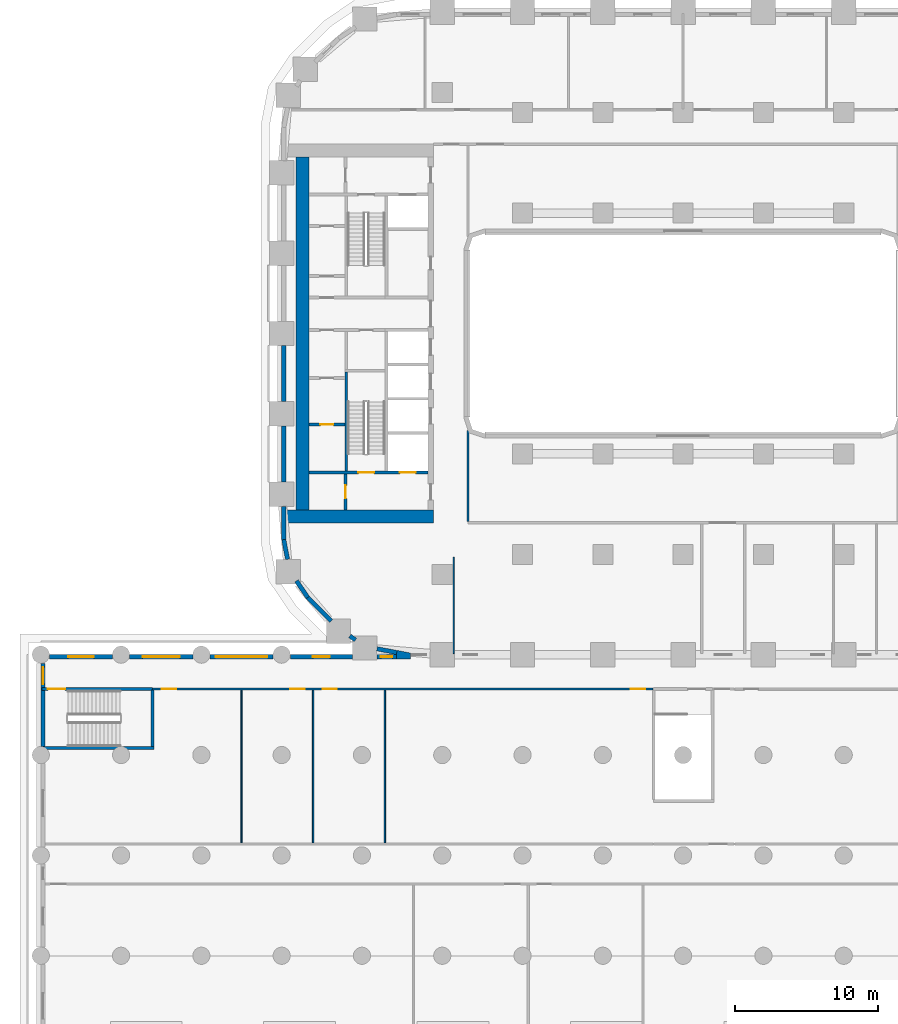
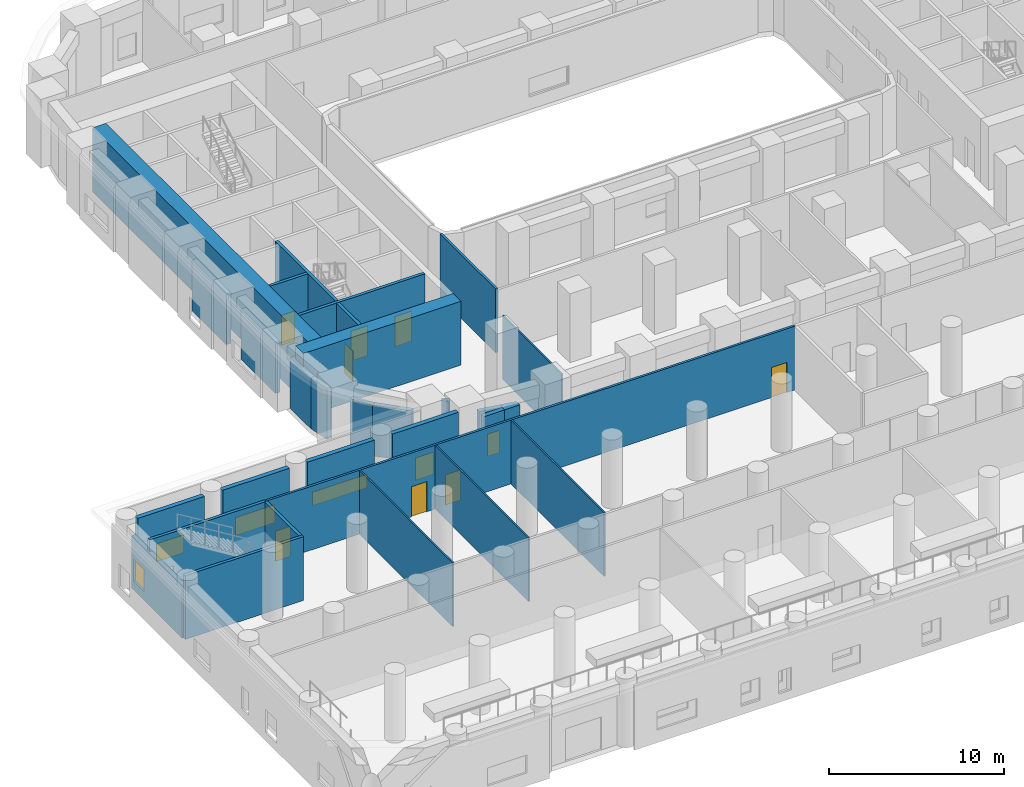
# One storey, part 9 of 24: 30 walls, 9 doors, 6 windows, 15 openings.
"""IFC4 building model written with IfcOpenShell, lengths in metres."""

from ifc_helpers import new_model, si_unit, direction, frame, frame_2d, origin, place, context, subcontext, project, spatial, polyline, rectangle, outline, extrude, material, layer, layer_set, type_object, element, fill, save


model = new_model("IFC4")

# Units and contexts
model_context = context("Model", 3, precision=1e-05, world=origin(), true_north=direction((0.0, 1.0)))
body_context = subcontext(model_context, "Body", "Model", "MODEL_VIEW")
ifc_project = project(units=[si_unit("LENGTHUNIT", "METRE"), si_unit("AREAUNIT", "SQUARE_METRE"), si_unit("VOLUMEUNIT", "CUBIC_METRE"), si_unit("PLANEANGLEUNIT", "RADIAN"), si_unit("MASSUNIT", "GRAM", prefix="KILO")], contexts=[model_context])

# Site, building, storey
site_placement = place(None, origin())
site = spatial("IfcSite", under=ifc_project, at=site_placement, CompositionType="ELEMENT")
building_placement = place(site_placement, origin())
building = spatial("IfcBuilding", under=site, at=building_placement, Name="Kiln Ring Residences", CompositionType="ELEMENT")
storey_placement = place(building_placement, frame((0.0, 0.0, 11.300048828125)))
storey = spatial("IfcBuildingStorey", under=building, at=storey_placement, Name="L02", CompositionType="ELEMENT", Elevation=11.300048828125)

# Wall, opening, door
ifc_material_1 = material(Name="Gypsum board on steel studs", Category="steel")
ifc_layer_1 = layer(ifc_material_1, 0.199951171875)
ifc_layer_set_1 = layer_set([ifc_layer_1], Name="CORE-PARTITION-200")
wall_type_1 = type_object("IfcWallType", Name="CORE-PARTITION-200", PredefinedType="PARTITIONING", material=ifc_layer_set_1)
wall_1_placement = place(storey_placement, frame((-23.550048828125, -12.300048828125, 0.0), z_axis=(0.0, 0.0, 1.0), x_axis=(0.0, 1.0, 0.0)))
wall_1 = element("IfcWall", 1, at=wall_1_placement, inside=storey, type_object=wall_type_1, Name="Core partition west L02 4", PredefinedType="PARTITIONING", context=body_context, shape_type="SweptSolid", body=[
    extrude(rectangle(XDim=2.5, YDim=0.199951171875, at=frame_2d((1.25, 0.0))), origin(), (0.0, 0.0, 1.0), 4.449951171875),
])
opening_1_placement = place(wall_1_placement, frame((0.800048828125, 0.0, 0.0)))
opening_1 = element("IfcOpeningElement", 2, at=opening_1_placement, cuts=wall_1, Name="Opening L02-CW10", PredefinedType="OPENING", context=body_context, shape_type="SweptSolid", body=[
    extrude(rectangle(XDim=0.89990234375, YDim=2.10009765625, at=frame_2d((0.449951171875, 1.050048828125))), frame((0.0, 0.10986328125, 0.0), z_axis=(0.0, -1.0, 0.0), x_axis=(1.0, 0.0, 0.0)), (0.0, 0.0, 1.0), 0.219970703125),
])
ifc_material_2 = material(Name="Steel door leaf", Category="steel")
door_type_1 = type_object("IfcDoorType", Name="CORE-DOOR-ROOM", OperationType="SINGLE_SWING_LEFT", PredefinedType="DOOR", material=ifc_material_2)
door_1_placement = place(opening_1_placement, origin())
door_1 = element("IfcDoor", 3, at=door_1_placement, inside=storey, type_object=door_type_1, Name="Store L02-CW10", OperationType="SINGLE_SWING_RIGHT", OverallHeight=2.10009765625, OverallWidth=0.89990234375, PredefinedType="DOOR", context=body_context, shape_type="SweptSolid", body=[
    extrude(rectangle(XDim=0.89990234375, YDim=2.10009765625, at=frame_2d((0.449951171875, 1.050048828125))), frame((0.0, 0.02490234375, 0.0), z_axis=(0.0, -1.0, 0.0), x_axis=(1.0, 0.0, 0.0)), (0.0, 0.0, 1.0), 0.050048828125),
])
fill(opening_1, door_1)

wall_2_placement = place(storey_placement, frame((-23.60009765625, -6.35009765625, 0.0), z_axis=(0.0, 0.0, 1.0), x_axis=(-1.0, 0.0, 0.0)))
wall_2 = element("IfcWall", 4, at=wall_2_placement, inside=storey, type_object=wall_type_1, Name="Core partition west L02 5", PredefinedType="PARTITIONING", context=body_context, shape_type="SweptSolid", body=[
    extrude(rectangle(XDim=2.5, YDim=0.199951171875, at=frame_2d((1.25, 0.0))), origin(), (0.0, 0.0, 1.0), 4.449951171875),
])
opening_2_placement = place(wall_2_placement, frame((0.800048828125, 0.0, 0.0)))
opening_2 = element("IfcOpeningElement", 5, at=opening_2_placement, cuts=wall_2, Name="Opening L02-CW15", PredefinedType="OPENING", context=body_context, shape_type="SweptSolid", body=[
    extrude(rectangle(XDim=0.89990234375, YDim=2.10009765625, at=frame_2d((0.449951171875, 1.050048828125))), frame((0.0, 0.10986328125, 0.0), z_axis=(0.0, -1.0, 0.0), x_axis=(1.0, 0.0, 0.0)), (0.0, 0.0, 1.0), 0.219970703125),
])
door_2_placement = place(opening_2_placement, origin())
door_2 = element("IfcDoor", 6, at=door_2_placement, inside=storey, type_object=door_type_1, Name="Meter room L02-CW15", OperationType="SINGLE_SWING_RIGHT", OverallHeight=2.10009765625, OverallWidth=0.89990234375, PredefinedType="DOOR", context=body_context, shape_type="SweptSolid", body=[
    extrude(rectangle(XDim=0.89990234375, YDim=2.10009765625, at=frame_2d((0.449951171875, 1.050048828125))), frame((0.0, 0.02490234375, 0.0), z_axis=(0.0, -1.0, 0.0), x_axis=(1.0, 0.0, 0.0)), (0.0, 0.0, 1.0), 0.050048828125),
])
fill(opening_2, door_2)

# Wall, openings, doors
ifc_material_3 = material(Name="Concrete C40/50", Category="concrete")
ifc_layer_2 = layer(ifc_material_3, 0.199951171875)
ifc_layer_set_2 = layer_set([ifc_layer_2], Name="CORE-WALL-RC200")
wall_type_2 = type_object("IfcWallType", Name="CORE-WALL-RC200", PredefinedType="SHEAR", material=ifc_layer_set_2)
wall_3_placement = place(storey_placement, frame((-17.800048828125, -9.699951171875, 0.0), z_axis=(0.0, 0.0, 1.0), x_axis=(-1.0, 0.0, 0.0)))
wall_3 = element("IfcWall", 7, at=wall_3_placement, inside=storey, type_object=wall_type_2, Name="Core wall west L02 8", PredefinedType="SHEAR", context=body_context, shape_type="SweptSolid", body=[
    extrude(rectangle(XDim=8.300048828125, YDim=0.199951171875, at=frame_2d((4.14990234375, 0.0))), origin(), (0.0, 0.0, 1.0), 4.449951171875),
])
opening_3_placement = place(wall_3_placement, frame((0.85009765625, 0.0, 0.0)))
opening_3 = element("IfcOpeningElement", 8, at=opening_3_placement, cuts=wall_3, Name="Opening L02-CW01", PredefinedType="OPENING", context=body_context, shape_type="SweptSolid", body=[
    extrude(rectangle(XDim=1.10009765625, YDim=2.10009765625, at=frame_2d((0.550048828125, 1.050048828125))), frame((0.0, 0.10986328125, 0.0), z_axis=(0.0, -1.0, 0.0), x_axis=(1.0, 0.0, 0.0)), (0.0, 0.0, 1.0), 0.219970703125),
])
opening_4_placement = place(wall_3_placement, frame((3.75, 0.0, 0.0)))
opening_4 = element("IfcOpeningElement", 9, at=opening_4_placement, cuts=wall_3, Name="Opening L02-CW12", PredefinedType="OPENING", context=body_context, shape_type="SweptSolid", body=[
    extrude(rectangle(XDim=1.10009765625, YDim=2.10009765625, at=frame_2d((0.550048828125, 1.050048828125))), frame((0.0, 0.10986328125, 0.0), z_axis=(0.0, -1.0, 0.0), x_axis=(1.0, 0.0, 0.0)), (0.0, 0.0, 1.0), 0.219970703125),
])
ifc_material_4 = material(Name="Steel door leaf", Category="steel")
door_type_2 = type_object("IfcDoorType", Name="CORE-DOOR-LD", OperationType="DOUBLE_DOOR_SLIDING", PredefinedType="DOOR", material=ifc_material_4)
door_3_placement = place(opening_3_placement, origin())
door_3 = element("IfcDoor", 10, at=door_3_placement, inside=storey, type_object=door_type_2, Name="LD W-SV L02-CW01", OperationType="DOUBLE_DOOR_SLIDING", OverallHeight=2.10009765625, OverallWidth=1.10009765625, PredefinedType="DOOR", context=body_context, shape_type="SweptSolid", body=[
    extrude(rectangle(XDim=1.10009765625, YDim=2.10009765625, at=frame_2d((0.550048828125, 1.050048828125))), frame((0.0, 0.02490234375, 0.0), z_axis=(0.0, -1.0, 0.0), x_axis=(1.0, 0.0, 0.0)), (0.0, 0.0, 1.0), 0.050048828125),
])
fill(opening_3, door_3)
ifc_material_5 = material(Name="Steel door leaf", Category="steel")
door_type_3 = type_object("IfcDoorType", Name="CORE-DOOR-STAIR", OperationType="SINGLE_SWING_LEFT", PredefinedType="DOOR", material=ifc_material_5)
door_4_placement = place(opening_4_placement, origin())
door_4 = element("IfcDoor", 11, at=door_4_placement, inside=storey, type_object=door_type_3, Name="Stair W-STS L02-CW12", OperationType="SINGLE_SWING_LEFT", OverallHeight=2.10009765625, OverallWidth=1.10009765625, PredefinedType="DOOR", context=body_context, shape_type="SweptSolid", body=[
    extrude(rectangle(XDim=1.10009765625, YDim=2.10009765625, at=frame_2d((0.550048828125, 1.050048828125))), frame((0.0, 0.02490234375, 0.0), z_axis=(0.0, -1.0, 0.0), x_axis=(1.0, 0.0, 0.0)), (0.0, 0.0, 1.0), 0.050048828125),
])
fill(opening_4, door_4)

# Walls
wall_4_placement = place(storey_placement, frame((-23.5, -9.60009765625, 0.0), z_axis=(0.0, 0.0, 1.0), x_axis=(0.0, 1.0, 0.0)))
element("IfcWall", 12, at=wall_4_placement, inside=storey, type_object=wall_type_2, Name="Core wall west L02 11", PredefinedType="SHEAR", context=body_context, shape_type="SweptSolid", body=[
    extrude(rectangle(XDim=6.900146484375, YDim=0.199951171875, at=frame_2d((3.4501953125, 0.0))), origin(), (0.0, 0.0, 1.0), 4.449951171875),
])
ifc_material_6 = material(Name="Concrete C60/75", Category="concrete")
ifc_layer_3 = layer(ifc_material_6, 0.89990234375)
ifc_layer_set_3 = layer_set([ifc_layer_3], Name="CORE-WALL-RC900")
wall_type_3 = type_object("IfcWallType", Name="CORE-WALL-RC900", PredefinedType="SHEAR", material=ifc_layer_set_3)
wall_5_placement = place(storey_placement, frame((-17.39990234375, -12.75, 0.0), z_axis=(0.0, 0.0, 1.0), x_axis=(-1.0, 0.0, 0.0)))
element("IfcWall", 13, at=wall_5_placement, inside=storey, type_object=wall_type_3, Name="Core wall west L02 5", PredefinedType="SHEAR", context=body_context, shape_type="SweptSolid", body=[
    extrude(rectangle(XDim=10.400146484375, YDim=0.89990234375, at=frame_2d((5.2001953125, 0.0))), origin(), (0.0, 0.0, 1.0), 4.449951171875),
])
wall_6_placement = place(storey_placement, frame((-26.550048828125, -12.300048828125, 0.0), z_axis=(0.0, 0.0, 1.0), x_axis=(0.0, 1.0, 0.0)))
element("IfcWall", 14, at=wall_6_placement, inside=storey, type_object=wall_type_3, Name="Core wall west L02 7", PredefinedType="SHEAR", context=body_context, shape_type="SweptSolid", body=[
    extrude(rectangle(XDim=24.60009765625, YDim=0.89990234375, at=frame_2d((12.300048828125, 0.0))), origin(), (0.0, 0.0, 1.0), 4.449951171875),
])
ifc_material_7 = material(Name="Brick masonry, dark clay brick", Category="masonry")
ifc_layer_4 = layer(ifc_material_7, 0.300048828125)
ifc_layer_set_4 = layer_set([ifc_layer_4], Name="EW-300 BRICK WALL")
wall_type_4 = type_object("IfcWallType", Name="EW-300 BRICK WALL", PredefinedType="SOLIDWALL", material=ifc_layer_set_4)
wall_7_placement = place(storey_placement, frame((-27.85009765625, -0.85009765625, 0.0), z_axis=(0.0, 0.0, 1.0), x_axis=(0.0, -1.0, 0.0)))
element("IfcWall", 15, at=wall_7_placement, inside=storey, type_object=wall_type_4, Name="Facade wall L02 42", PredefinedType="SOLIDWALL", context=body_context, shape_type="SweptSolid", body=[
    extrude(rectangle(XDim=3.89990234375, YDim=0.300048828125, at=frame_2d((1.949951171875, 0.0))), origin(), (0.0, 0.0, 1.0), 3.550048828125),
])
wall_8_placement = place(storey_placement, frame((-27.85009765625, -6.449951171875, 0.0), z_axis=(0.0, 0.0, 1.0), x_axis=(0.0, -1.0, 0.0)))
element("IfcWall", 16, at=wall_8_placement, inside=storey, type_object=wall_type_4, Name="Facade wall L02 43", PredefinedType="SOLIDWALL", context=body_context, shape_type="SweptSolid", body=[
    extrude(rectangle(XDim=3.900146484375, YDim=0.300048828125, at=frame_2d((1.9501953125, 0.0))), origin(), (0.0, 0.0, 1.0), 3.550048828125),
])
wall_9_placement = place(storey_placement, frame((-27.85009765625, -12.050048828125, 0.0), z_axis=(0.0, 0.0, 1.0), x_axis=(0.0, -1.0, 0.0)))
element("IfcWall", 17, at=wall_9_placement, inside=storey, type_object=wall_type_4, Name="Facade wall L02 44", PredefinedType="SOLIDWALL", context=body_context, shape_type="SweptSolid", body=[
    extrude(rectangle(XDim=2.349853515625, YDim=0.300048828125, at=frame_2d((1.1748046875, 0.0))), origin(), (0.0, 0.0, 1.0), 3.550048828125),
])
for number, where, z_axis, x_axis, name in (
    (18, (-27.8525390625, -14.371826171875, 0.0), (0.0, 0.0, 1.0), (0.187327504018, -0.982297514116, 0.0), "Facade wall L02 45"),
    (19, (-26.96923828125, -17.249755859375, 0.0), (0.0, 0.0, 1.0), (0.562010802008, -0.827129892112, 0.0), "Facade wall L02 46"),
):
    element("IfcWall", number, at=place(storey_placement, frame(where, z_axis=z_axis, x_axis=x_axis)), inside=storey, type_object=wall_type_4, Name=name, PredefinedType="SOLIDWALL", context=body_context, shape_type="SweptSolid", body=[
        extrude(rectangle(XDim=1.40625, YDim=0.300048828125, at=frame_2d((0.703125, 0.0))), origin(), (0.0, 0.0, 1.0), 3.550048828125),
    ])
wall_10_placement = place(storey_placement, frame((-26.19677734375, -18.390869140625, 0.0), z_axis=(0.0, 0.0, 1.0), x_axis=(0.707054835785, -0.707158722772, 0.0)))
element("IfcWall", 20, at=wall_10_placement, inside=storey, type_object=wall_type_4, Name="Facade wall L02 47", PredefinedType="SOLIDWALL", context=body_context, shape_type="SweptSolid", body=[
    extrude(rectangle(XDim=2.35009765625, YDim=0.300048828125, at=frame_2d((1.175048828125, 0.0))), origin(), (0.0, 0.0, 1.0), 3.550048828125),
])
wall_11_placement = place(storey_placement, frame((-23.244384765625, -21.10107421875, 0.0), z_axis=(0.0, 0.0, 1.0), x_axis=(0.827135885329, -0.562001981492, 0.0)))
element("IfcWall", 21, at=wall_11_placement, inside=storey, type_object=wall_type_4, Name="Facade wall L02 48", PredefinedType="SOLIDWALL", context=body_context, shape_type="SweptSolid", body=[
    extrude(rectangle(XDim=0.47705078125, YDim=0.300048828125, at=frame_2d((0.238525390625, 0.0))), origin(), (0.0, 0.0, 1.0), 4.449951171875),
])
wall_12_placement = place(storey_placement, frame((-21.35302734375, -21.9892578125, 0.0), z_axis=(0.0, 0.0, 1.0), x_axis=(0.98229142023, -0.187359455971, 0.0)))
element("IfcWall", 22, at=wall_12_placement, inside=storey, type_object=wall_type_4, Name="Facade wall L02 49", PredefinedType="SOLIDWALL", context=body_context, shape_type="SweptSolid", body=[
    extrude(rectangle(XDim=1.406005859375, YDim=0.300048828125, at=frame_2d((0.703125, 0.0))), origin(), (0.0, 0.0, 1.0), 3.550048828125),
])

# Wall, opening, window
wall_13_placement = place(storey_placement, frame((-20.0, -22.550048828125, 0.0), z_axis=(0.0, 0.0, 1.0), x_axis=(-1.0, 0.0, 0.0)))
wall_13 = element("IfcWall", 23, at=wall_13_placement, inside=storey, type_object=wall_type_4, Name="Facade wall L02 50", PredefinedType="SOLIDWALL", context=body_context, shape_type="SweptSolid", body=[
    extrude(rectangle(XDim=1.358642578125, YDim=0.300048828125, at=frame_2d((0.67919921875, 0.0))), origin(), (0.0, 0.0, 1.0), 3.550048828125),
])
opening_5_placement = place(wall_13_placement, frame((0.279296875, 0.0, 0.60009765625)))
opening_5 = element("IfcOpeningElement", 24, at=opening_5_placement, cuts=wall_13, Name="Opening W5", PredefinedType="OPENING", context=body_context, shape_type="SweptSolid", body=[
    extrude(rectangle(XDim=0.800048828125, YDim=1.550048828125, at=frame_2d((0.39990234375, 0.77490234375))), frame((0.0, 0.159912109375, 0.0), z_axis=(0.0, -1.0, 0.0), x_axis=(1.0, 0.0, 0.0)), (0.0, 0.0, 1.0), 0.320068359375),
])
ifc_material_8 = material(Name="Aluminium frame with double glazing", Category="aluminium")
window_type_1 = type_object("IfcWindowType", Name="WINDOW 800 x 1550", PartitioningType="SINGLE_PANEL", PredefinedType="WINDOW", material=ifc_material_8)
window_1_placement = place(opening_5_placement, origin())
window_1 = element("IfcWindow", 25, at=window_1_placement, inside=storey, type_object=window_type_1, Name="Window L02 22", OverallHeight=1.550048828125, OverallWidth=0.800048828125, PartitioningType="SINGLE_PANEL", PredefinedType="WINDOW", context=body_context, shape_type="SweptSolid", body=[
    extrude(rectangle(XDim=0.800048828125, YDim=1.550048828125, at=frame_2d((0.39990234375, 0.77490234375))), frame((0.0, 0.030029296875, 0.0), z_axis=(0.0, -1.0, 0.0), x_axis=(1.0, 0.0, 0.0)), (0.0, 0.0, 1.0), 0.06005859375),
])
fill(opening_5, window_1)

wall_14_placement = place(storey_placement, frame((-23.05859375, -22.550048828125, 0.0), z_axis=(0.0, 0.0, 1.0), x_axis=(-1.0, 0.0, 0.0)))
wall_14 = element("IfcWall", 26, at=wall_14_placement, inside=storey, type_object=wall_type_4, Name="Facade wall L02 51", PredefinedType="SOLIDWALL", context=body_context, shape_type="SweptSolid", body=[
    extrude(rectangle(XDim=4.34130859375, YDim=0.300048828125, at=frame_2d((2.170654296875, 0.0))), origin(), (0.0, 0.0, 1.0), 4.449951171875),
])
opening_6_placement = place(wall_14_placement, frame((1.570556640625, 0.0, 0.60009765625)))
opening_6 = element("IfcOpeningElement", 27, at=opening_6_placement, cuts=wall_14, Name="Opening W1", PredefinedType="OPENING", context=body_context, shape_type="SweptSolid", body=[
    extrude(rectangle(XDim=1.199951171875, YDim=1.550048828125, at=frame_2d((0.60009765625, 0.77490234375))), frame((0.0, 0.159912109375, 0.0), z_axis=(0.0, -1.0, 0.0), x_axis=(1.0, 0.0, 0.0)), (0.0, 0.0, 1.0), 0.320068359375),
])
ifc_material_9 = material(Name="Aluminium frame with double glazing", Category="aluminium")
window_type_2 = type_object("IfcWindowType", Name="WINDOW 1200 x 1550", PartitioningType="SINGLE_PANEL", PredefinedType="WINDOW", material=ifc_material_9)
window_2_placement = place(opening_6_placement, origin())
window_2 = element("IfcWindow", 28, at=window_2_placement, inside=storey, type_object=window_type_2, Name="Window L02 23", OverallHeight=1.550048828125, OverallWidth=1.199951171875, PartitioningType="SINGLE_PANEL", PredefinedType="WINDOW", context=body_context, shape_type="SweptSolid", body=[
    extrude(rectangle(XDim=1.199951171875, YDim=1.550048828125, at=frame_2d((0.60009765625, 0.77490234375))), frame((0.0, 0.030029296875, 0.0), z_axis=(0.0, -1.0, 0.0), x_axis=(1.0, 0.0, 0.0)), (0.0, 0.0, 1.0), 0.06005859375),
])
fill(opening_6, window_2)

wall_15_placement = place(storey_placement, frame((-28.60009765625, -22.550048828125, 0.0), z_axis=(0.0, 0.0, 1.0), x_axis=(-1.0, 0.0, 0.0)))
wall_15 = element("IfcWall", 29, at=wall_15_placement, inside=storey, type_object=wall_type_4, Name="Facade wall L02 52", PredefinedType="SOLIDWALL", context=body_context, shape_type="SweptSolid", body=[
    extrude(rectangle(XDim=4.39990234375, YDim=0.300048828125, at=frame_2d((2.199951171875, 0.0))), origin(), (0.0, 0.0, 1.0), 4.449951171875),
])
opening_7_placement = place(wall_15_placement, frame((0.39990234375, 0.0, 1.199951171875)))
opening_7 = element("IfcOpeningElement", 30, at=opening_7_placement, cuts=wall_15, Name="Opening W4", PredefinedType="OPENING", context=body_context, shape_type="SweptSolid", body=[
    extrude(rectangle(XDim=3.60009765625, YDim=0.949951171875, at=frame_2d((1.800048828125, 0.47509765625))), frame((0.0, 0.159912109375, 0.0), z_axis=(0.0, -1.0, 0.0), x_axis=(1.0, 0.0, 0.0)), (0.0, 0.0, 1.0), 0.320068359375),
])
ifc_material_10 = material(Name="Aluminium frame with double glazing", Category="aluminium")
window_type_3 = type_object("IfcWindowType", Name="WINDOW 3600 x 950", PartitioningType="SINGLE_PANEL", PredefinedType="WINDOW", material=ifc_material_10)
window_3_placement = place(opening_7_placement, origin())
window_3 = element("IfcWindow", 31, at=window_3_placement, inside=storey, type_object=window_type_3, Name="Window L02 24", OverallHeight=0.949951171875, OverallWidth=3.60009765625, PartitioningType="SINGLE_PANEL", PredefinedType="WINDOW", context=body_context, shape_type="SweptSolid", body=[
    extrude(rectangle(XDim=3.60009765625, YDim=0.949951171875, at=frame_2d((1.800048828125, 0.47509765625))), frame((0.0, 0.030029296875, 0.0), z_axis=(0.0, -1.0, 0.0), x_axis=(1.0, 0.0, 0.0)), (0.0, 0.0, 1.0), 0.06005859375),
])
fill(opening_7, window_3)

wall_16_placement = place(storey_placement, frame((-34.199951171875, -22.550048828125, 0.0), z_axis=(0.0, 0.0, 1.0), x_axis=(-1.0, 0.0, 0.0)))
wall_16 = element("IfcWall", 32, at=wall_16_placement, inside=storey, type_object=wall_type_4, Name="Facade wall L02 53", PredefinedType="SOLIDWALL", context=body_context, shape_type="SweptSolid", body=[
    extrude(rectangle(XDim=4.400146484375, YDim=0.300048828125, at=frame_2d((2.2001953125, 0.0))), origin(), (0.0, 0.0, 1.0), 4.449951171875),
])
opening_8_placement = place(wall_16_placement, frame((0.89990234375, 0.0, 0.89990234375)))
opening_8 = element("IfcOpeningElement", 33, at=opening_8_placement, cuts=wall_16, Name="Opening W3", PredefinedType="OPENING", context=body_context, shape_type="SweptSolid", body=[
    extrude(rectangle(XDim=2.60009765625, YDim=1.25, at=frame_2d((1.300048828125, 0.625))), frame((0.0, 0.159912109375, 0.0), z_axis=(0.0, -1.0, 0.0), x_axis=(1.0, 0.0, 0.0)), (0.0, 0.0, 1.0), 0.320068359375),
])
ifc_material_11 = material(Name="Aluminium frame with double glazing", Category="aluminium")
window_type_4 = type_object("IfcWindowType", Name="WINDOW 2600 x 1250", PartitioningType="SINGLE_PANEL", PredefinedType="WINDOW", material=ifc_material_11)
window_4_placement = place(opening_8_placement, origin())
window_4 = element("IfcWindow", 34, at=window_4_placement, inside=storey, type_object=window_type_4, Name="Window L02 25", OverallHeight=1.25, OverallWidth=2.60009765625, PartitioningType="SINGLE_PANEL", PredefinedType="WINDOW", context=body_context, shape_type="SweptSolid", body=[
    extrude(rectangle(XDim=2.60009765625, YDim=1.25, at=frame_2d((1.300048828125, 0.625))), frame((0.0, 0.030029296875, 0.0), z_axis=(0.0, -1.0, 0.0), x_axis=(1.0, 0.0, 0.0)), (0.0, 0.0, 1.0), 0.06005859375),
])
fill(opening_8, window_4)

wall_17_placement = place(storey_placement, frame((-39.800048828125, -22.550048828125, 0.0), z_axis=(0.0, 0.0, 1.0), x_axis=(-1.0, 0.0, 0.0)))
wall_17 = element("IfcWall", 35, at=wall_17_placement, inside=storey, type_object=wall_type_4, Name="Facade wall L02 54", PredefinedType="SOLIDWALL", context=body_context, shape_type="SweptSolid", body=[
    extrude(rectangle(XDim=4.39990234375, YDim=0.300048828125, at=frame_2d((2.199951171875, 0.0))), origin(), (0.0, 0.0, 1.0), 4.449951171875),
])
opening_9_placement = place(wall_17_placement, frame((1.300048828125, 0.0, 0.89990234375)))
opening_9 = element("IfcOpeningElement", 36, at=opening_9_placement, cuts=wall_17, Name="Opening W2", PredefinedType="OPENING", context=body_context, shape_type="SweptSolid", body=[
    extrude(rectangle(XDim=1.800048828125, YDim=1.25, at=frame_2d((0.89990234375, 0.625))), frame((0.0, 0.159912109375, 0.0), z_axis=(0.0, -1.0, 0.0), x_axis=(1.0, 0.0, 0.0)), (0.0, 0.0, 1.0), 0.320068359375),
])
ifc_material_12 = material(Name="Aluminium frame with double glazing", Category="aluminium")
window_type_5 = type_object("IfcWindowType", Name="WINDOW 1800 x 1250", PartitioningType="SINGLE_PANEL", PredefinedType="WINDOW", material=ifc_material_12)
window_5_placement = place(opening_9_placement, origin())
window_5 = element("IfcWindow", 37, at=window_5_placement, inside=storey, type_object=window_type_5, Name="Window L02 26", OverallHeight=1.25, OverallWidth=1.800048828125, PartitioningType="SINGLE_PANEL", PredefinedType="WINDOW", context=body_context, shape_type="SweptSolid", body=[
    extrude(rectangle(XDim=1.800048828125, YDim=1.25, at=frame_2d((0.89990234375, 0.625))), frame((0.0, 0.030029296875, 0.0), z_axis=(0.0, -1.0, 0.0), x_axis=(1.0, 0.0, 0.0)), (0.0, 0.0, 1.0), 0.06005859375),
])
fill(opening_9, window_5)

wall_18_placement = place(storey_placement, frame((-44.64990234375, -23.0, 0.0), z_axis=(0.0, 0.0, 1.0), x_axis=(0.0, -1.0, 0.0)))
wall_18 = element("IfcWall", 38, at=wall_18_placement, inside=storey, type_object=wall_type_4, Name="Facade wall L02 55", PredefinedType="SOLIDWALL", context=body_context, shape_type="SweptSolid", body=[
    extrude(rectangle(XDim=5.800048828125, YDim=0.300048828125, at=frame_2d((2.89990234375, 0.0))), origin(), (0.0, 0.0, 1.0), 3.64990234375),
])
opening_10_placement = place(wall_18_placement, frame((0.262451171875, 0.0, 0.60009765625)))
opening_10 = element("IfcOpeningElement", 39, at=opening_10_placement, cuts=wall_18, Name="Opening W1", PredefinedType="OPENING", context=body_context, shape_type="SweptSolid", body=[
    extrude(rectangle(XDim=1.199951171875, YDim=1.550048828125, at=frame_2d((0.60009765625, 0.77490234375))), frame((0.0, 0.159912109375, 0.0), z_axis=(0.0, -1.0, 0.0), x_axis=(1.0, 0.0, 0.0)), (0.0, 0.0, 1.0), 0.320068359375),
])
window_6_placement = place(opening_10_placement, origin())
window_6 = element("IfcWindow", 40, at=window_6_placement, inside=storey, type_object=window_type_2, Name="Window L02 27", OverallHeight=1.550048828125, OverallWidth=1.199951171875, PartitioningType="SINGLE_PANEL", PredefinedType="WINDOW", context=body_context, shape_type="SweptSolid", body=[
    extrude(rectangle(XDim=1.199951171875, YDim=1.550048828125, at=frame_2d((0.60009765625, 0.77490234375))), frame((0.0, 0.030029296875, 0.0), z_axis=(0.0, -1.0, 0.0), x_axis=(1.0, 0.0, 0.0)), (0.0, 0.0, 1.0), 0.06005859375),
])
fill(opening_10, window_6)

# Walls
wall_19_placement = place(storey_placement, origin())
element("IfcWall", 41, at=wall_19_placement, inside=storey, type_object=wall_type_4, Name="Corner wall L02 2", PredefinedType="SOLIDWALL", context=body_context, shape_type="SweptSolid", body=[
    extrude(outline(polyline([(-20.0, -22.699951171875), (-19.0, -22.699951171875), (-19.0, -22.285400390625), (-19.94384765625, -22.105224609375), (-20.0, -22.39990234375), (-20.0, -22.699951171875)])), origin(), (0.0, 0.0, 1.0), 3.550048828125),
])
ifc_material_13 = material(Name="Gypsum board on steel studs", Category="steel")
ifc_layer_5 = layer(ifc_material_13, 0.10009765625)
ifc_layer_set_5 = layer_set([ifc_layer_5], Name="PARTITION-100")
wall_type_5 = type_object("IfcWallType", Name="PARTITION-100", PredefinedType="PARTITIONING", material=ifc_layer_set_5)
for number, where, z_axis, x_axis, name in (
    (42, (-30.800048828125, -35.52490234375, 0.0), (0.0, 0.0, 1.0), (0.0, 1.0, 0.0), "Partition 018"),
    (43, (-25.800048828125, -35.52490234375, 0.0), (0.0, 0.0, 1.0), (0.0, 1.0, 0.0), "Partition 019"),
    (44, (-20.800048828125, -35.52490234375, 0.0), (0.0, 0.0, 1.0), (0.0, 1.0, 0.0), "Partition 020"),
):
    element("IfcWall", number, at=place(storey_placement, frame(where, z_axis=z_axis, x_axis=x_axis)), inside=storey, type_object=wall_type_5, Name=name, PredefinedType="PARTITIONING", context=body_context, shape_type="SweptSolid", body=[
        extrude(rectangle(XDim=10.64990234375, YDim=0.10009765625, at=frame_2d((5.324951171875, 0.0))), origin(), (0.0, 0.0, 1.0), 4.449951171875),
    ])
wall_20_placement = place(storey_placement, frame((-16.0, -22.324951171875, 0.0), z_axis=(0.0, 0.0, 1.0), x_axis=(0.0, 1.0, 0.0)))
element("IfcWall", 45, at=wall_20_placement, inside=storey, type_object=wall_type_5, Name="Partition 023", PredefinedType="PARTITIONING", context=body_context, shape_type="SweptSolid", body=[
    extrude(rectangle(XDim=6.724853515625, YDim=0.10009765625, at=frame_2d((3.3623046875, 0.0))), origin(), (0.0, 0.0, 1.0), 4.449951171875),
])

# Wall, openings, doors
ifc_material_14 = material(Name="Brick masonry partition", Category="masonry")
ifc_layer_6 = layer(ifc_material_14, 0.14990234375)
ifc_layer_set_6 = layer_set([ifc_layer_6], Name="PARTITION-150-ei60")
wall_type_6 = type_object("IfcWallType", Name="PARTITION-150-ei60", PredefinedType="PARTITIONING", material=ifc_layer_set_6)
wall_21_placement = place(storey_placement, frame((-37.0, -24.800048828125, 0.0), z_axis=(0.0, 0.0, 1.0), x_axis=(1.0, 0.0, 0.0)))
wall_21 = element("IfcWall", 46, at=wall_21_placement, inside=storey, type_object=wall_type_6, Name="Partition 007", PredefinedType="PARTITIONING", context=body_context, shape_type="SweptSolid", body=[
    extrude(rectangle(XDim=34.89990234375, YDim=0.14990234375, at=frame_2d((17.449951171875, 0.0))), origin(), (0.0, 0.0, 1.0), 4.449951171875),
])
opening_11_placement = place(wall_21_placement, frame((0.64990234375, 0.0, 0.0)))
opening_11 = element("IfcOpeningElement", 47, at=opening_11_placement, cuts=wall_21, Name="Opening L02-D011", PredefinedType="OPENING", context=body_context, shape_type="SweptSolid", body=[
    extrude(rectangle(XDim=1.0, YDim=2.10009765625, at=frame_2d((0.5, 1.050048828125))), frame((0.0, 0.0849609375, 0.0), z_axis=(0.0, -1.0, 0.0), x_axis=(1.0, 0.0, 0.0)), (0.0, 0.0, 1.0), 0.169921875),
])
opening_12_placement = place(wall_21_placement, frame((9.60009765625, 0.0, 0.0)))
opening_12 = element("IfcOpeningElement", 48, at=opening_12_placement, cuts=wall_21, Name="Opening L02-D012", PredefinedType="OPENING", context=body_context, shape_type="SweptSolid", body=[
    extrude(rectangle(XDim=1.0, YDim=2.10009765625, at=frame_2d((0.5, 1.050048828125))), frame((0.0, 0.0849609375, 0.0), z_axis=(0.0, -1.0, 0.0), x_axis=(1.0, 0.0, 0.0)), (0.0, 0.0, 1.0), 0.169921875),
])
opening_13_placement = place(wall_21_placement, frame((11.85009765625, 0.0, 0.0)))
opening_13 = element("IfcOpeningElement", 49, at=opening_13_placement, cuts=wall_21, Name="Opening L02-D013", PredefinedType="OPENING", context=body_context, shape_type="SweptSolid", body=[
    extrude(rectangle(XDim=1.0, YDim=2.10009765625, at=frame_2d((0.5, 1.050048828125))), frame((0.0, 0.0849609375, 0.0), z_axis=(0.0, -1.0, 0.0), x_axis=(1.0, 0.0, 0.0)), (0.0, 0.0, 1.0), 0.169921875),
])
opening_14_placement = place(wall_21_placement, frame((33.35009765625, 0.0, 0.0)))
opening_14 = element("IfcOpeningElement", 50, at=opening_14_placement, cuts=wall_21, Name="Opening L02-D014", PredefinedType="OPENING", context=body_context, shape_type="SweptSolid", body=[
    extrude(rectangle(XDim=1.0, YDim=2.10009765625, at=frame_2d((0.5, 1.050048828125))), frame((0.0, 0.0849609375, 0.0), z_axis=(0.0, -1.0, 0.0), x_axis=(1.0, 0.0, 0.0)), (0.0, 0.0, 1.0), 0.169921875),
])
ifc_material_15 = material(Name="Steel faced fire door leaf", Category="steel")
door_type_4 = type_object("IfcDoorType", Name="FLAT-DOOR-1000-FR", OperationType="SINGLE_SWING_LEFT", PredefinedType="DOOR", material=ifc_material_15)
door_5_placement = place(opening_11_placement, origin())
door_5 = element("IfcDoor", 51, at=door_5_placement, inside=storey, type_object=door_type_4, Name="Door L02-D011", OperationType="SINGLE_SWING_LEFT", OverallHeight=2.10009765625, OverallWidth=1.0, PredefinedType="DOOR", context=body_context, shape_type="SweptSolid", body=[
    extrude(rectangle(XDim=1.0, YDim=2.10009765625, at=frame_2d((0.5, 1.050048828125))), frame((0.0, 0.02490234375, 0.0), z_axis=(0.0, -1.0, 0.0), x_axis=(1.0, 0.0, 0.0)), (0.0, 0.0, 1.0), 0.050048828125),
])
fill(opening_11, door_5)
door_6_placement = place(opening_12_placement, origin())
door_6 = element("IfcDoor", 52, at=door_6_placement, inside=storey, type_object=door_type_4, Name="Door L02-D012", OperationType="SINGLE_SWING_RIGHT", OverallHeight=2.10009765625, OverallWidth=1.0, PredefinedType="DOOR", context=body_context, shape_type="SweptSolid", body=[
    extrude(rectangle(XDim=1.0, YDim=2.10009765625, at=frame_2d((0.5, 1.050048828125))), frame((0.0, 0.02490234375, 0.0), z_axis=(0.0, -1.0, 0.0), x_axis=(1.0, 0.0, 0.0)), (0.0, 0.0, 1.0), 0.050048828125),
])
fill(opening_12, door_6)
door_7_placement = place(opening_13_placement, origin())
door_7 = element("IfcDoor", 53, at=door_7_placement, inside=storey, type_object=door_type_4, Name="Door L02-D013", OperationType="SINGLE_SWING_LEFT", OverallHeight=2.10009765625, OverallWidth=1.0, PredefinedType="DOOR", context=body_context, shape_type="SweptSolid", body=[
    extrude(rectangle(XDim=1.0, YDim=2.10009765625, at=frame_2d((0.5, 1.050048828125))), frame((0.0, 0.02490234375, 0.0), z_axis=(0.0, -1.0, 0.0), x_axis=(1.0, 0.0, 0.0)), (0.0, 0.0, 1.0), 0.050048828125),
])
fill(opening_13, door_7)
door_8_placement = place(opening_14_placement, origin())
door_8 = element("IfcDoor", 54, at=door_8_placement, inside=storey, type_object=door_type_4, Name="Door L02-D014", OperationType="SINGLE_SWING_RIGHT", OverallHeight=2.10009765625, OverallWidth=1.0, PredefinedType="DOOR", context=body_context, shape_type="SweptSolid", body=[
    extrude(rectangle(XDim=1.0, YDim=2.10009765625, at=frame_2d((0.5, 1.050048828125))), frame((0.0, 0.02490234375, 0.0), z_axis=(0.0, -1.0, 0.0), x_axis=(1.0, 0.0, 0.0)), (0.0, 0.0, 1.0), 0.050048828125),
])
fill(opening_14, door_8)

# Walls
wall_22_placement = place(storey_placement, frame((-15.0, -13.125, 0.0), z_axis=(0.0, 0.0, 1.0), x_axis=(0.0, 1.0, 0.0)))
element("IfcWall", 55, at=wall_22_placement, inside=storey, type_object=wall_type_6, Name="Partition 024", PredefinedType="PARTITIONING", context=body_context, shape_type="SweptSolid", body=[
    extrude(rectangle(XDim=6.356201171875, YDim=0.14990234375, at=frame_2d((3.17822265625, 0.0))), origin(), (0.0, 0.0, 1.0), 4.449951171875),
])
ifc_material_16 = material(Name="Concrete C40/50", Category="concrete")
ifc_layer_7 = layer(ifc_material_16, 0.199951171875)
ifc_layer_set_7 = layer_set([ifc_layer_7], Name="PODIUM-STAIR-WALL-200")
wall_type_7 = type_object("IfcWallType", Name="PODIUM-STAIR-WALL-200", PredefinedType="SHEAR", material=ifc_layer_set_7)
wall_23_placement = place(storey_placement, frame((-44.7099609375, -28.89990234375, 0.0), z_axis=(0.0, 0.0, 1.0), x_axis=(1.0, 0.0, 0.0)))
element("IfcWall", 56, at=wall_23_placement, inside=storey, type_object=wall_type_7, Name="Stair wall 005", PredefinedType="SHEAR", context=body_context, shape_type="SweptSolid", body=[
    extrude(rectangle(XDim=7.81005859375, YDim=0.199951171875, at=frame_2d((3.905029296875, 0.0))), origin(), (0.0, 0.0, 1.0), 4.449951171875),
])

# Wall, opening, door
wall_24_placement = place(storey_placement, frame((-44.7099609375, -24.800048828125, 0.0), z_axis=(0.0, 0.0, 1.0), x_axis=(1.0, 0.0, 0.0)))
wall_24 = element("IfcWall", 57, at=wall_24_placement, inside=storey, type_object=wall_type_7, Name="Stair wall 010", PredefinedType="SHEAR", context=body_context, shape_type="SweptSolid", body=[
    extrude(rectangle(XDim=7.7099609375, YDim=0.199951171875, at=frame_2d((3.85498046875, 0.0))), origin(), (0.0, 0.0, 1.0), 4.449951171875),
])
opening_15_placement = place(wall_24_placement, frame((0.39990234375, 0.0, 0.0)))
opening_15 = element("IfcOpeningElement", 58, at=opening_15_placement, cuts=wall_24, Name="Opening L02-D006", PredefinedType="OPENING", context=body_context, shape_type="SweptSolid", body=[
    extrude(rectangle(XDim=1.199951171875, YDim=2.10009765625, at=frame_2d((0.60009765625, 1.050048828125))), frame((0.0, 0.10986328125, 0.0), z_axis=(0.0, -1.0, 0.0), x_axis=(1.0, 0.0, 0.0)), (0.0, 0.0, 1.0), 0.219970703125),
])
ifc_material_17 = material(Name="Steel faced fire door leaf", Category="steel")
door_type_5 = type_object("IfcDoorType", Name="FLAT-DOOR-1200-FR", OperationType="SINGLE_SWING_LEFT", PredefinedType="DOOR", material=ifc_material_17)
door_9_placement = place(opening_15_placement, origin())
door_9 = element("IfcDoor", 59, at=door_9_placement, inside=storey, type_object=door_type_5, Name="Door L02-D006", OperationType="SINGLE_SWING_LEFT", OverallHeight=2.10009765625, OverallWidth=1.199951171875, PredefinedType="DOOR", context=body_context, shape_type="SweptSolid", body=[
    extrude(rectangle(XDim=1.199951171875, YDim=2.10009765625, at=frame_2d((0.60009765625, 1.050048828125))), frame((0.0, 0.02490234375, 0.0), z_axis=(0.0, -1.0, 0.0), x_axis=(1.0, 0.0, 0.0)), (0.0, 0.0, 1.0), 0.050048828125),
])
fill(opening_15, door_9)

# Wall
wall_25_placement = place(storey_placement, frame((-37.0, -28.800048828125, 0.0), z_axis=(0.0, 0.0, 1.0), x_axis=(0.0, 1.0, 0.0)))
element("IfcWall", 60, at=wall_25_placement, inside=storey, type_object=wall_type_7, Name="Stair wall 017", PredefinedType="SHEAR", context=body_context, shape_type="SweptSolid", body=[
    extrude(rectangle(XDim=3.925048828125, YDim=0.199951171875, at=frame_2d((1.96240234375, 0.0))), origin(), (0.0, 0.0, 1.0), 4.449951171875),
])

save(model, "model.ifc")
